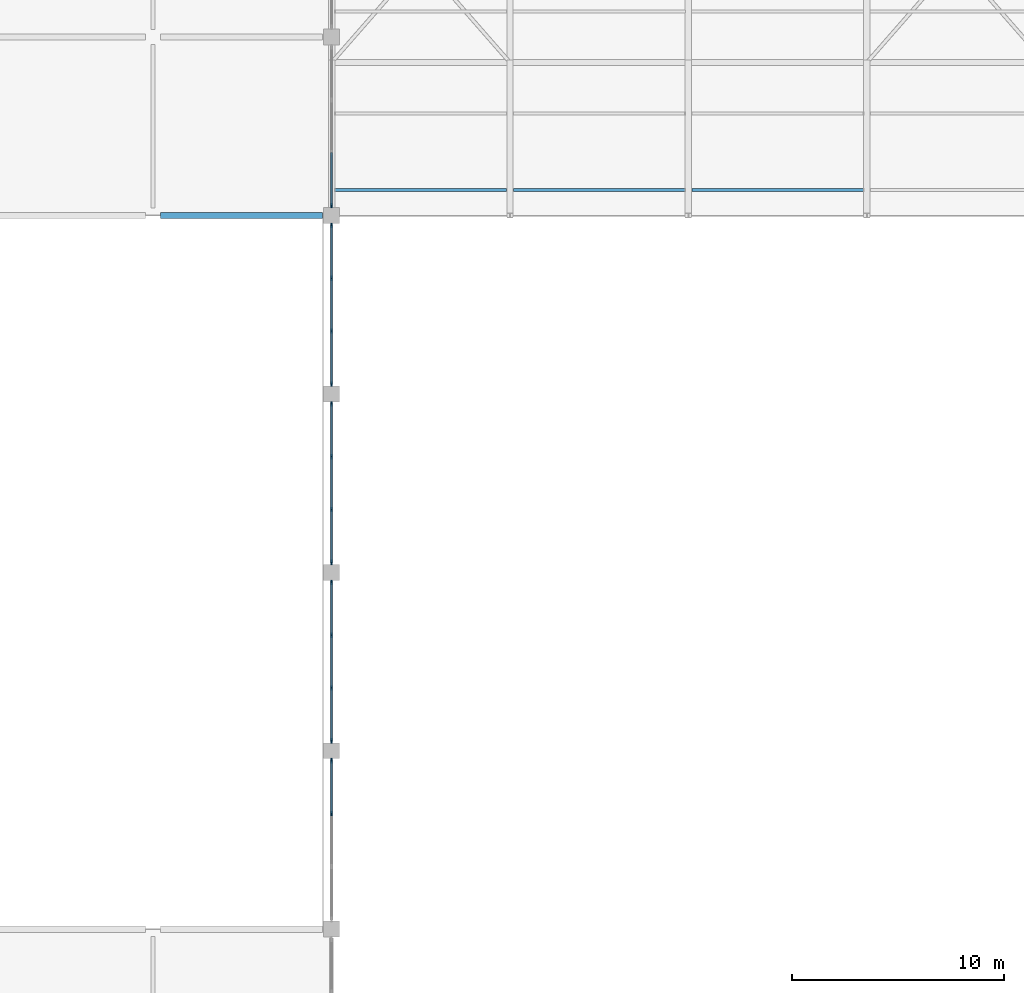
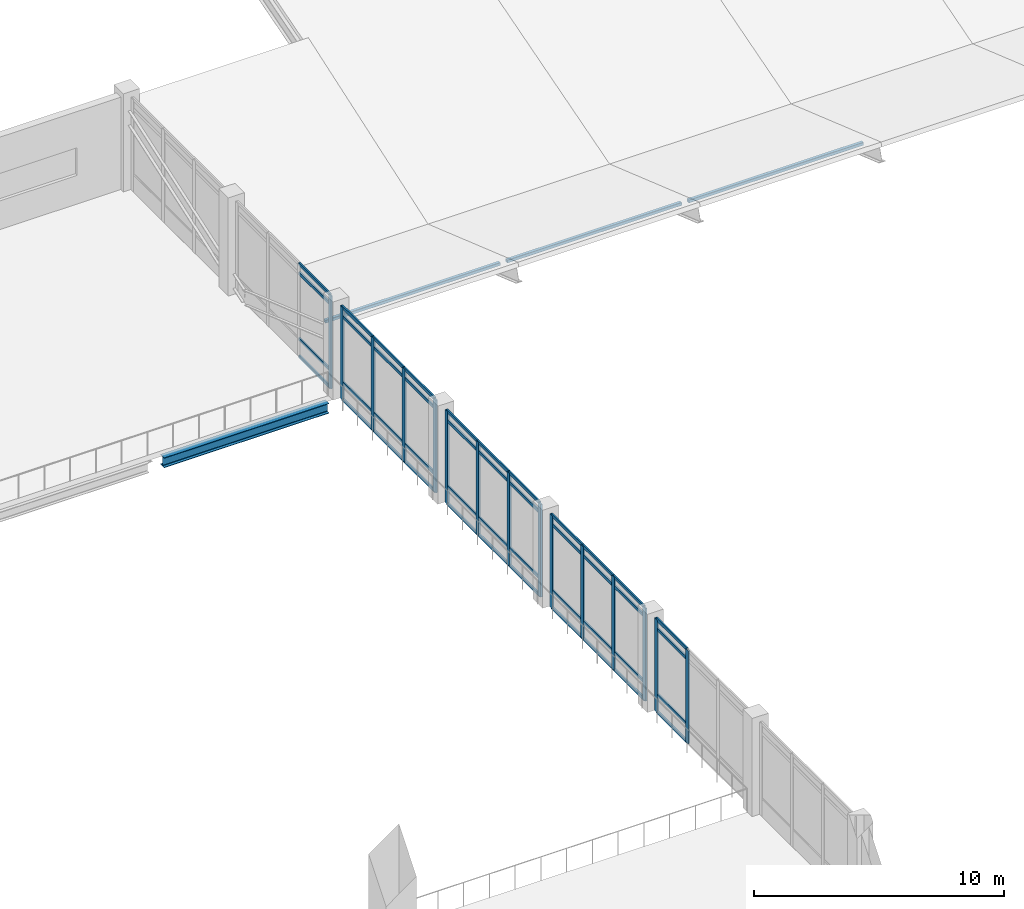
# One storey, part 14 of 110: 62 members, 1 beam, 5 elements without a shape of their own.
"""IFC4 building model written with IfcOpenShell, lengths in metres."""

from ifc_helpers import new_model, si_unit, direction, frame, origin, origin_2d, place, context, subcontext, project, spatial, rectangle, hollow_rectangle, i_section, extrude, material, layer, layer_set, material_profile, profile_set, type_object, element, aggregate, save


model = new_model("IFC4")

# Units and contexts
model_context = context("Model", 3, precision=1e-05, world=origin(), true_north=direction((0.0, 1.0)))
body_context = subcontext(model_context, "Body", "Model", "MODEL_VIEW")
ifc_project = project(units=[si_unit("LENGTHUNIT", "METRE"), si_unit("AREAUNIT", "SQUARE_METRE"), si_unit("VOLUMEUNIT", "CUBIC_METRE"), si_unit("PLANEANGLEUNIT", "RADIAN"), si_unit("MASSUNIT", "GRAM", prefix="KILO")], contexts=[model_context])

# Site, building, storey
site_placement = place(None, origin())
site = spatial("IfcSite", under=ifc_project, at=site_placement, CompositionType="ELEMENT")
building_placement = place(site_placement, origin())
building = spatial("IfcBuilding", under=site, at=building_placement, Name="Qawsi Khor Wholesale Market", CompositionType="ELEMENT")
storey_placement = place(building_placement, frame((0.0, 0.0, 11.39990234375)))
storey = spatial("IfcBuildingStorey", under=building, at=storey_placement, Name="L02", CompositionType="ELEMENT", Elevation=11.39990234375)

# Members
ifc_material_1 = material(Name="Steel S355", Category="steel")
ifc_material_profile_1 = material_profile(ifc_material_1, hollow_rectangle(XDim=0.14990234375, YDim=0.14990234375, WallThickness=0.008056640625, InnerFilletRadius=0.008056640625, OuterFilletRadius=0.01611328125, at=origin_2d()), Name="SHS 150x150x8.0")
ifc_profile_set_1 = profile_set([ifc_material_profile_1], Name="Steel S355")
member_type_1 = type_object("IfcMemberType", Name="Auction Shed Purlin SHS 150x150x8.0", PredefinedType="PURLIN", material=ifc_profile_set_1)
for number, where, z_axis, x_axis, name in (
    (1, (75.761962890625, 93.60009765625, 2.7333984375), (1.0, 0.0, 0.0), (0.0, 1.0, 0.0), "Auction Roof Purlin 10-1"),
    (2, (84.162109375, 93.60009765625, 2.7333984375), (1.0, 0.0, 0.0), (0.0, 1.0, 0.0), "Auction Roof Purlin 11-1"),
    (3, (92.56201171875, 93.60009765625, 2.7333984375), (1.0, 0.0, 0.0), (0.0, 1.0, 0.0), "Auction Roof Purlin 12-1"),
):
    element("IfcMember", number, at=place(storey_placement, frame(where, z_axis=z_axis, x_axis=x_axis)), inside=storey, type_object=member_type_1, Name=name, PredefinedType="PURLIN", context=body_context, shape_type="SweptSolid", body=[
        extrude(hollow_rectangle(XDim=0.14990234375, YDim=0.14990234375, WallThickness=0.008056640625, InnerFilletRadius=0.008056640625, OuterFilletRadius=0.01611328125, at=origin_2d()), origin(), (0.0, 0.0, 1.0), 8.075927734375),
    ])

# Curtain wall, members
ifc_material_2 = material(Name="Aluminium Anodised Bronze", Category="aluminium")
ifc_layer = layer(ifc_material_2, 0.199951171875, Name="Aluminium Anodised Bronze")
ifc_layer_set = layer_set([ifc_layer], Name="Aluminium Anodised Bronze")
curtain_wall_type = type_object("IfcCurtainWallType", Name="Trading Hall North-Light Curtain Wall CW-03", PredefinedType="NOTDEFINED", material=ifc_layer_set)
curtain_wall_1_placement = place(storey_placement, origin())
curtain_wall_1 = element("IfcCurtainWall", 4, at=curtain_wall_1_placement, inside=storey, type_object=curtain_wall_type, Name="Curtain wall CW-CW-03-L02-079", PredefinedType="NOTDEFINED")
ifc_material_profile_2 = material_profile(ifc_material_2, rectangle(XDim=0.074951171875, YDim=0.219970703125, at=origin_2d()), Name="ALU MULLION 75x220")
ifc_profile_set_2 = profile_set([ifc_material_profile_2], Name="Aluminium Anodised Bronze")
member_type_2 = type_object("IfcMemberType", Name="Curtain Wall Mullion CW-03 ALU MULLION 75x220", PredefinedType="MULLION", material=ifc_profile_set_2)
member_1_placement = place(storey_placement, frame((75.60009765625, 64.242431640625, -0.02001953125), z_axis=(0.0, 0.0, 1.0), x_axis=(1.0, 0.0, 0.0)))
member_1 = element("IfcMember", 5, at=member_1_placement, type_object=member_type_2, Name="Mullion CW-CW-03-L02-079-M02", PredefinedType="MULLION", context=body_context, shape_type="SweptSolid", body=[
    extrude(rectangle(XDim=0.074951171875, YDim=0.219970703125, at=origin_2d()), origin(), (0.0, 0.0, 1.0), 4.5400390625),
])
member_2_placement = place(storey_placement, frame((75.60009765625, 66.7275390625, -0.02001953125), z_axis=(0.0, 0.0, 1.0), x_axis=(1.0, 0.0, 0.0)))
member_2 = element("IfcMember", 6, at=member_2_placement, type_object=member_type_2, Name="Mullion CW-CW-03-L02-079-M03", PredefinedType="MULLION", context=body_context, shape_type="SweptSolid", body=[
    extrude(rectangle(XDim=0.074951171875, YDim=0.219970703125, at=origin_2d()), origin(), (0.0, 0.0, 1.0), 4.5400390625),
])

curtain_wall_2_placement = place(storey_placement, origin())
curtain_wall_2 = element("IfcCurtainWall", 7, at=curtain_wall_2_placement, inside=storey, type_object=curtain_wall_type, Name="Curtain wall CW-CW-03-L02-084", PredefinedType="NOTDEFINED")
member_3_placement = place(storey_placement, frame((75.60009765625, 67.672607421875, -0.02001953125), z_axis=(0.0, 0.0, 1.0), x_axis=(1.0, 0.0, 0.0)))
member_3 = element("IfcMember", 8, at=member_3_placement, type_object=member_type_2, Name="Mullion CW-CW-03-L02-084-M00", PredefinedType="MULLION", context=body_context, shape_type="SweptSolid", body=[
    extrude(rectangle(XDim=0.074951171875, YDim=0.219970703125, at=origin_2d()), origin(), (0.0, 0.0, 1.0), 4.5400390625),
])
member_4_placement = place(storey_placement, frame((75.60009765625, 70.157470703125, -0.02001953125), z_axis=(0.0, 0.0, 1.0), x_axis=(1.0, 0.0, 0.0)))
member_4 = element("IfcMember", 9, at=member_4_placement, type_object=member_type_2, Name="Mullion CW-CW-03-L02-084-M01", PredefinedType="MULLION", context=body_context, shape_type="SweptSolid", body=[
    extrude(rectangle(XDim=0.074951171875, YDim=0.219970703125, at=origin_2d()), origin(), (0.0, 0.0, 1.0), 4.5400390625),
])
member_5_placement = place(storey_placement, frame((75.60009765625, 72.642578125, -0.02001953125), z_axis=(0.0, 0.0, 1.0), x_axis=(1.0, 0.0, 0.0)))
member_5 = element("IfcMember", 10, at=member_5_placement, type_object=member_type_2, Name="Mullion CW-CW-03-L02-084-M02", PredefinedType="MULLION", context=body_context, shape_type="SweptSolid", body=[
    extrude(rectangle(XDim=0.074951171875, YDim=0.219970703125, at=origin_2d()), origin(), (0.0, 0.0, 1.0), 4.5400390625),
])
member_6_placement = place(storey_placement, frame((75.60009765625, 75.12744140625, -0.02001953125), z_axis=(0.0, 0.0, 1.0), x_axis=(1.0, 0.0, 0.0)))
member_6 = element("IfcMember", 11, at=member_6_placement, type_object=member_type_2, Name="Mullion CW-CW-03-L02-084-M03", PredefinedType="MULLION", context=body_context, shape_type="SweptSolid", body=[
    extrude(rectangle(XDim=0.074951171875, YDim=0.219970703125, at=origin_2d()), origin(), (0.0, 0.0, 1.0), 4.5400390625),
])

curtain_wall_3_placement = place(storey_placement, origin())
curtain_wall_3 = element("IfcCurtainWall", 12, at=curtain_wall_3_placement, inside=storey, type_object=curtain_wall_type, Name="Curtain wall CW-CW-03-L02-089", PredefinedType="NOTDEFINED")
member_7_placement = place(storey_placement, frame((75.60009765625, 76.072509765625, -0.02001953125), z_axis=(0.0, 0.0, 1.0), x_axis=(1.0, 0.0, 0.0)))
member_7 = element("IfcMember", 13, at=member_7_placement, type_object=member_type_2, Name="Mullion CW-CW-03-L02-089-M00", PredefinedType="MULLION", context=body_context, shape_type="SweptSolid", body=[
    extrude(rectangle(XDim=0.074951171875, YDim=0.219970703125, at=origin_2d()), origin(), (0.0, 0.0, 1.0), 4.5400390625),
])
member_8_placement = place(storey_placement, frame((75.60009765625, 78.5576171875, -0.02001953125), z_axis=(0.0, 0.0, 1.0), x_axis=(1.0, 0.0, 0.0)))
member_8 = element("IfcMember", 14, at=member_8_placement, type_object=member_type_2, Name="Mullion CW-CW-03-L02-089-M01", PredefinedType="MULLION", context=body_context, shape_type="SweptSolid", body=[
    extrude(rectangle(XDim=0.074951171875, YDim=0.219970703125, at=origin_2d()), origin(), (0.0, 0.0, 1.0), 4.5400390625),
])
member_9_placement = place(storey_placement, frame((75.60009765625, 81.04248046875, -0.02001953125), z_axis=(0.0, 0.0, 1.0), x_axis=(1.0, 0.0, 0.0)))
member_9 = element("IfcMember", 15, at=member_9_placement, type_object=member_type_2, Name="Mullion CW-CW-03-L02-089-M02", PredefinedType="MULLION", context=body_context, shape_type="SweptSolid", body=[
    extrude(rectangle(XDim=0.074951171875, YDim=0.219970703125, at=origin_2d()), origin(), (0.0, 0.0, 1.0), 4.5400390625),
])
member_10_placement = place(storey_placement, frame((75.60009765625, 83.527587890625, -0.02001953125), z_axis=(0.0, 0.0, 1.0), x_axis=(1.0, 0.0, 0.0)))
member_10 = element("IfcMember", 16, at=member_10_placement, type_object=member_type_2, Name="Mullion CW-CW-03-L02-089-M03", PredefinedType="MULLION", context=body_context, shape_type="SweptSolid", body=[
    extrude(rectangle(XDim=0.074951171875, YDim=0.219970703125, at=origin_2d()), origin(), (0.0, 0.0, 1.0), 4.5400390625),
])

curtain_wall_4_placement = place(storey_placement, origin())
curtain_wall_4 = element("IfcCurtainWall", 17, at=curtain_wall_4_placement, inside=storey, type_object=curtain_wall_type, Name="Curtain wall CW-CW-03-L02-094", PredefinedType="NOTDEFINED")
member_11_placement = place(storey_placement, frame((75.60009765625, 84.472412109375, -0.02001953125), z_axis=(0.0, 0.0, 1.0), x_axis=(1.0, 0.0, 0.0)))
member_11 = element("IfcMember", 18, at=member_11_placement, type_object=member_type_2, Name="Mullion CW-CW-03-L02-094-M00", PredefinedType="MULLION", context=body_context, shape_type="SweptSolid", body=[
    extrude(rectangle(XDim=0.074951171875, YDim=0.219970703125, at=origin_2d()), origin(), (0.0, 0.0, 1.0), 4.5400390625),
])
member_12_placement = place(storey_placement, frame((75.60009765625, 86.95751953125, -0.02001953125), z_axis=(0.0, 0.0, 1.0), x_axis=(1.0, 0.0, 0.0)))
member_12 = element("IfcMember", 19, at=member_12_placement, type_object=member_type_2, Name="Mullion CW-CW-03-L02-094-M01", PredefinedType="MULLION", context=body_context, shape_type="SweptSolid", body=[
    extrude(rectangle(XDim=0.074951171875, YDim=0.219970703125, at=origin_2d()), origin(), (0.0, 0.0, 1.0), 4.5400390625),
])
member_13_placement = place(storey_placement, frame((75.60009765625, 89.4423828125, -0.02001953125), z_axis=(0.0, 0.0, 1.0), x_axis=(1.0, 0.0, 0.0)))
member_13 = element("IfcMember", 20, at=member_13_placement, type_object=member_type_2, Name="Mullion CW-CW-03-L02-094-M02", PredefinedType="MULLION", context=body_context, shape_type="SweptSolid", body=[
    extrude(rectangle(XDim=0.074951171875, YDim=0.219970703125, at=origin_2d()), origin(), (0.0, 0.0, 1.0), 4.5400390625),
])
member_14_placement = place(storey_placement, frame((75.60009765625, 91.927490234375, -0.02001953125), z_axis=(0.0, 0.0, 1.0), x_axis=(1.0, 0.0, 0.0)))
member_14 = element("IfcMember", 21, at=member_14_placement, type_object=member_type_2, Name="Mullion CW-CW-03-L02-094-M03", PredefinedType="MULLION", context=body_context, shape_type="SweptSolid", body=[
    extrude(rectangle(XDim=0.074951171875, YDim=0.219970703125, at=origin_2d()), origin(), (0.0, 0.0, 1.0), 4.5400390625),
])

# Curtain wall, member
curtain_wall_5_placement = place(storey_placement, origin())
curtain_wall_5 = element("IfcCurtainWall", 22, at=curtain_wall_5_placement, inside=storey, type_object=curtain_wall_type, Name="Curtain wall CW-CW-03-L02-157", PredefinedType="NOTDEFINED")
member_15_placement = place(storey_placement, frame((75.60009765625, 92.87255859375, -0.02001953125), z_axis=(0.0, 0.0, 1.0), x_axis=(1.0, 0.0, 0.0)))
member_15 = element("IfcMember", 23, at=member_15_placement, type_object=member_type_2, Name="Mullion CW-CW-03-L02-157-M00", PredefinedType="MULLION", context=body_context, shape_type="SweptSolid", body=[
    extrude(rectangle(XDim=0.074951171875, YDim=0.219970703125, at=origin_2d()), origin(), (0.0, 0.0, 1.0), 4.5400390625),
])

# Member
ifc_material_profile_3 = material_profile(ifc_material_2, rectangle(XDim=0.070068359375, YDim=0.14990234375, at=origin_2d()), Name="ALU TRANSOM 70x150")
ifc_profile_set_3 = profile_set([ifc_material_profile_3], Name="Aluminium Anodised Bronze")
member_type_3 = type_object("IfcMemberType", Name="Curtain Wall Transom CW-03 ALU TRANSOM 70x150", PredefinedType="USERDEFINED", material=ifc_profile_set_3)
member_16_placement = place(storey_placement, frame((75.60009765625, 64.242431640625, 0.0), z_axis=(0.0, 1.0, 0.0), x_axis=(-1.0, 0.0, 0.0)))
member_16 = element("IfcMember", 24, at=member_16_placement, type_object=member_type_3, Name="Transom CW-CW-03-L02-079-T0_02", ObjectType="TRANSOM", PredefinedType="USERDEFINED", context=body_context, shape_type="SweptSolid", body=[
    extrude(rectangle(XDim=0.070068359375, YDim=0.14990234375, at=origin_2d()), origin(), (0.0, 0.0, 1.0), 2.485107421875),
])

member_17_placement = place(storey_placement, frame((75.60009765625, 64.242431640625, 0.85009765625), z_axis=(0.0, 1.0, 0.0), x_axis=(-1.0, 0.0, 0.0)))
member_17 = element("IfcMember", 25, at=member_17_placement, type_object=member_type_3, Name="Transom CW-CW-03-L02-079-T1_02", ObjectType="TRANSOM", PredefinedType="USERDEFINED", context=body_context, shape_type="SweptSolid", body=[
    extrude(rectangle(XDim=0.070068359375, YDim=0.14990234375, at=origin_2d()), origin(), (0.0, 0.0, 1.0), 2.485107421875),
])

member_18_placement = place(storey_placement, frame((75.60009765625, 64.242431640625, 4.070068359375), z_axis=(0.0, 1.0, 0.0), x_axis=(-1.0, 0.0, 0.0)))
member_18 = element("IfcMember", 26, at=member_18_placement, type_object=member_type_3, Name="Transom CW-CW-03-L02-079-T2_02", ObjectType="TRANSOM", PredefinedType="USERDEFINED", context=body_context, shape_type="SweptSolid", body=[
    extrude(rectangle(XDim=0.070068359375, YDim=0.14990234375, at=origin_2d()), origin(), (0.0, 0.0, 1.0), 2.485107421875),
])

member_19_placement = place(storey_placement, frame((75.60009765625, 64.242431640625, 4.52001953125), z_axis=(0.0, 1.0, 0.0), x_axis=(-1.0, 0.0, 0.0)))
member_19 = element("IfcMember", 27, at=member_19_placement, type_object=member_type_3, Name="Transom CW-CW-03-L02-079-T3_02", ObjectType="TRANSOM", PredefinedType="USERDEFINED", context=body_context, shape_type="SweptSolid", body=[
    extrude(rectangle(XDim=0.070068359375, YDim=0.14990234375, at=origin_2d()), origin(), (0.0, 0.0, 1.0), 2.485107421875),
])

aggregate(curtain_wall_1, [member_1, member_2, member_16, member_17, member_18, member_19])

member_20_placement = place(storey_placement, frame((75.60009765625, 67.672607421875, 0.0), z_axis=(0.0, 1.0, 0.0), x_axis=(-1.0, 0.0, 0.0)))
member_20 = element("IfcMember", 28, at=member_20_placement, type_object=member_type_3, Name="Transom CW-CW-03-L02-084-T0_00", ObjectType="TRANSOM", PredefinedType="USERDEFINED", context=body_context, shape_type="SweptSolid", body=[
    extrude(rectangle(XDim=0.070068359375, YDim=0.14990234375, at=origin_2d()), origin(), (0.0, 0.0, 1.0), 2.48486328125),
])

member_21_placement = place(storey_placement, frame((75.60009765625, 70.157470703125, 0.0), z_axis=(0.0, 1.0, 0.0), x_axis=(-1.0, 0.0, 0.0)))
member_21 = element("IfcMember", 29, at=member_21_placement, type_object=member_type_3, Name="Transom CW-CW-03-L02-084-T0_01", ObjectType="TRANSOM", PredefinedType="USERDEFINED", context=body_context, shape_type="SweptSolid", body=[
    extrude(rectangle(XDim=0.070068359375, YDim=0.14990234375, at=origin_2d()), origin(), (0.0, 0.0, 1.0), 2.485107421875),
])

member_22_placement = place(storey_placement, frame((75.60009765625, 72.642578125, 0.0), z_axis=(0.0, 1.0, 0.0), x_axis=(-1.0, 0.0, 0.0)))
member_22 = element("IfcMember", 30, at=member_22_placement, type_object=member_type_3, Name="Transom CW-CW-03-L02-084-T0_02", ObjectType="TRANSOM", PredefinedType="USERDEFINED", context=body_context, shape_type="SweptSolid", body=[
    extrude(rectangle(XDim=0.070068359375, YDim=0.14990234375, at=origin_2d()), origin(), (0.0, 0.0, 1.0), 2.48486328125),
])

member_23_placement = place(storey_placement, frame((75.60009765625, 67.672607421875, 0.85009765625), z_axis=(0.0, 1.0, 0.0), x_axis=(-1.0, 0.0, 0.0)))
member_23 = element("IfcMember", 31, at=member_23_placement, type_object=member_type_3, Name="Transom CW-CW-03-L02-084-T1_00", ObjectType="TRANSOM", PredefinedType="USERDEFINED", context=body_context, shape_type="SweptSolid", body=[
    extrude(rectangle(XDim=0.070068359375, YDim=0.14990234375, at=origin_2d()), origin(), (0.0, 0.0, 1.0), 2.48486328125),
])

member_24_placement = place(storey_placement, frame((75.60009765625, 70.157470703125, 0.85009765625), z_axis=(0.0, 1.0, 0.0), x_axis=(-1.0, 0.0, 0.0)))
member_24 = element("IfcMember", 32, at=member_24_placement, type_object=member_type_3, Name="Transom CW-CW-03-L02-084-T1_01", ObjectType="TRANSOM", PredefinedType="USERDEFINED", context=body_context, shape_type="SweptSolid", body=[
    extrude(rectangle(XDim=0.070068359375, YDim=0.14990234375, at=origin_2d()), origin(), (0.0, 0.0, 1.0), 2.485107421875),
])

member_25_placement = place(storey_placement, frame((75.60009765625, 72.642578125, 0.85009765625), z_axis=(0.0, 1.0, 0.0), x_axis=(-1.0, 0.0, 0.0)))
member_25 = element("IfcMember", 33, at=member_25_placement, type_object=member_type_3, Name="Transom CW-CW-03-L02-084-T1_02", ObjectType="TRANSOM", PredefinedType="USERDEFINED", context=body_context, shape_type="SweptSolid", body=[
    extrude(rectangle(XDim=0.070068359375, YDim=0.14990234375, at=origin_2d()), origin(), (0.0, 0.0, 1.0), 2.48486328125),
])

member_26_placement = place(storey_placement, frame((75.60009765625, 67.672607421875, 4.070068359375), z_axis=(0.0, 1.0, 0.0), x_axis=(-1.0, 0.0, 0.0)))
member_26 = element("IfcMember", 34, at=member_26_placement, type_object=member_type_3, Name="Transom CW-CW-03-L02-084-T2_00", ObjectType="TRANSOM", PredefinedType="USERDEFINED", context=body_context, shape_type="SweptSolid", body=[
    extrude(rectangle(XDim=0.070068359375, YDim=0.14990234375, at=origin_2d()), origin(), (0.0, 0.0, 1.0), 2.48486328125),
])

member_27_placement = place(storey_placement, frame((75.60009765625, 70.157470703125, 4.070068359375), z_axis=(0.0, 1.0, 0.0), x_axis=(-1.0, 0.0, 0.0)))
member_27 = element("IfcMember", 35, at=member_27_placement, type_object=member_type_3, Name="Transom CW-CW-03-L02-084-T2_01", ObjectType="TRANSOM", PredefinedType="USERDEFINED", context=body_context, shape_type="SweptSolid", body=[
    extrude(rectangle(XDim=0.070068359375, YDim=0.14990234375, at=origin_2d()), origin(), (0.0, 0.0, 1.0), 2.485107421875),
])

member_28_placement = place(storey_placement, frame((75.60009765625, 72.642578125, 4.070068359375), z_axis=(0.0, 1.0, 0.0), x_axis=(-1.0, 0.0, 0.0)))
member_28 = element("IfcMember", 36, at=member_28_placement, type_object=member_type_3, Name="Transom CW-CW-03-L02-084-T2_02", ObjectType="TRANSOM", PredefinedType="USERDEFINED", context=body_context, shape_type="SweptSolid", body=[
    extrude(rectangle(XDim=0.070068359375, YDim=0.14990234375, at=origin_2d()), origin(), (0.0, 0.0, 1.0), 2.48486328125),
])

member_29_placement = place(storey_placement, frame((75.60009765625, 67.672607421875, 4.52001953125), z_axis=(0.0, 1.0, 0.0), x_axis=(-1.0, 0.0, 0.0)))
member_29 = element("IfcMember", 37, at=member_29_placement, type_object=member_type_3, Name="Transom CW-CW-03-L02-084-T3_00", ObjectType="TRANSOM", PredefinedType="USERDEFINED", context=body_context, shape_type="SweptSolid", body=[
    extrude(rectangle(XDim=0.070068359375, YDim=0.14990234375, at=origin_2d()), origin(), (0.0, 0.0, 1.0), 2.48486328125),
])

member_30_placement = place(storey_placement, frame((75.60009765625, 70.157470703125, 4.52001953125), z_axis=(0.0, 1.0, 0.0), x_axis=(-1.0, 0.0, 0.0)))
member_30 = element("IfcMember", 38, at=member_30_placement, type_object=member_type_3, Name="Transom CW-CW-03-L02-084-T3_01", ObjectType="TRANSOM", PredefinedType="USERDEFINED", context=body_context, shape_type="SweptSolid", body=[
    extrude(rectangle(XDim=0.070068359375, YDim=0.14990234375, at=origin_2d()), origin(), (0.0, 0.0, 1.0), 2.485107421875),
])

member_31_placement = place(storey_placement, frame((75.60009765625, 72.642578125, 4.52001953125), z_axis=(0.0, 1.0, 0.0), x_axis=(-1.0, 0.0, 0.0)))
member_31 = element("IfcMember", 39, at=member_31_placement, type_object=member_type_3, Name="Transom CW-CW-03-L02-084-T3_02", ObjectType="TRANSOM", PredefinedType="USERDEFINED", context=body_context, shape_type="SweptSolid", body=[
    extrude(rectangle(XDim=0.070068359375, YDim=0.14990234375, at=origin_2d()), origin(), (0.0, 0.0, 1.0), 2.48486328125),
])

aggregate(curtain_wall_2, [member_3, member_4, member_5, member_6, member_20, member_21, member_22, member_23, member_24, member_25, member_26, member_27, member_28, member_29, member_30, member_31])

member_32_placement = place(storey_placement, frame((75.60009765625, 76.072509765625, 0.0), z_axis=(0.0, 1.0, 0.0), x_axis=(-1.0, 0.0, 0.0)))
member_32 = element("IfcMember", 40, at=member_32_placement, type_object=member_type_3, Name="Transom CW-CW-03-L02-089-T0_00", ObjectType="TRANSOM", PredefinedType="USERDEFINED", context=body_context, shape_type="SweptSolid", body=[
    extrude(rectangle(XDim=0.070068359375, YDim=0.14990234375, at=origin_2d()), origin(), (0.0, 0.0, 1.0), 2.485107421875),
])

member_33_placement = place(storey_placement, frame((75.60009765625, 78.5576171875, 0.0), z_axis=(0.0, 1.0, 0.0), x_axis=(-1.0, 0.0, 0.0)))
member_33 = element("IfcMember", 41, at=member_33_placement, type_object=member_type_3, Name="Transom CW-CW-03-L02-089-T0_01", ObjectType="TRANSOM", PredefinedType="USERDEFINED", context=body_context, shape_type="SweptSolid", body=[
    extrude(rectangle(XDim=0.070068359375, YDim=0.14990234375, at=origin_2d()), origin(), (0.0, 0.0, 1.0), 2.48486328125),
])

member_34_placement = place(storey_placement, frame((75.60009765625, 81.04248046875, 0.0), z_axis=(0.0, 1.0, 0.0), x_axis=(-1.0, 0.0, 0.0)))
member_34 = element("IfcMember", 42, at=member_34_placement, type_object=member_type_3, Name="Transom CW-CW-03-L02-089-T0_02", ObjectType="TRANSOM", PredefinedType="USERDEFINED", context=body_context, shape_type="SweptSolid", body=[
    extrude(rectangle(XDim=0.070068359375, YDim=0.14990234375, at=origin_2d()), origin(), (0.0, 0.0, 1.0), 2.485107421875),
])

member_35_placement = place(storey_placement, frame((75.60009765625, 76.072509765625, 0.85009765625), z_axis=(0.0, 1.0, 0.0), x_axis=(-1.0, 0.0, 0.0)))
member_35 = element("IfcMember", 43, at=member_35_placement, type_object=member_type_3, Name="Transom CW-CW-03-L02-089-T1_00", ObjectType="TRANSOM", PredefinedType="USERDEFINED", context=body_context, shape_type="SweptSolid", body=[
    extrude(rectangle(XDim=0.070068359375, YDim=0.14990234375, at=origin_2d()), origin(), (0.0, 0.0, 1.0), 2.485107421875),
])

member_36_placement = place(storey_placement, frame((75.60009765625, 78.5576171875, 0.85009765625), z_axis=(0.0, 1.0, 0.0), x_axis=(-1.0, 0.0, 0.0)))
member_36 = element("IfcMember", 44, at=member_36_placement, type_object=member_type_3, Name="Transom CW-CW-03-L02-089-T1_01", ObjectType="TRANSOM", PredefinedType="USERDEFINED", context=body_context, shape_type="SweptSolid", body=[
    extrude(rectangle(XDim=0.070068359375, YDim=0.14990234375, at=origin_2d()), origin(), (0.0, 0.0, 1.0), 2.48486328125),
])

member_37_placement = place(storey_placement, frame((75.60009765625, 81.04248046875, 0.85009765625), z_axis=(0.0, 1.0, 0.0), x_axis=(-1.0, 0.0, 0.0)))
member_37 = element("IfcMember", 45, at=member_37_placement, type_object=member_type_3, Name="Transom CW-CW-03-L02-089-T1_02", ObjectType="TRANSOM", PredefinedType="USERDEFINED", context=body_context, shape_type="SweptSolid", body=[
    extrude(rectangle(XDim=0.070068359375, YDim=0.14990234375, at=origin_2d()), origin(), (0.0, 0.0, 1.0), 2.485107421875),
])

member_38_placement = place(storey_placement, frame((75.60009765625, 76.072509765625, 4.070068359375), z_axis=(0.0, 1.0, 0.0), x_axis=(-1.0, 0.0, 0.0)))
member_38 = element("IfcMember", 46, at=member_38_placement, type_object=member_type_3, Name="Transom CW-CW-03-L02-089-T2_00", ObjectType="TRANSOM", PredefinedType="USERDEFINED", context=body_context, shape_type="SweptSolid", body=[
    extrude(rectangle(XDim=0.070068359375, YDim=0.14990234375, at=origin_2d()), origin(), (0.0, 0.0, 1.0), 2.485107421875),
])

member_39_placement = place(storey_placement, frame((75.60009765625, 78.5576171875, 4.070068359375), z_axis=(0.0, 1.0, 0.0), x_axis=(-1.0, 0.0, 0.0)))
member_39 = element("IfcMember", 47, at=member_39_placement, type_object=member_type_3, Name="Transom CW-CW-03-L02-089-T2_01", ObjectType="TRANSOM", PredefinedType="USERDEFINED", context=body_context, shape_type="SweptSolid", body=[
    extrude(rectangle(XDim=0.070068359375, YDim=0.14990234375, at=origin_2d()), origin(), (0.0, 0.0, 1.0), 2.48486328125),
])

member_40_placement = place(storey_placement, frame((75.60009765625, 81.04248046875, 4.070068359375), z_axis=(0.0, 1.0, 0.0), x_axis=(-1.0, 0.0, 0.0)))
member_40 = element("IfcMember", 48, at=member_40_placement, type_object=member_type_3, Name="Transom CW-CW-03-L02-089-T2_02", ObjectType="TRANSOM", PredefinedType="USERDEFINED", context=body_context, shape_type="SweptSolid", body=[
    extrude(rectangle(XDim=0.070068359375, YDim=0.14990234375, at=origin_2d()), origin(), (0.0, 0.0, 1.0), 2.485107421875),
])

member_41_placement = place(storey_placement, frame((75.60009765625, 76.072509765625, 4.52001953125), z_axis=(0.0, 1.0, 0.0), x_axis=(-1.0, 0.0, 0.0)))
member_41 = element("IfcMember", 49, at=member_41_placement, type_object=member_type_3, Name="Transom CW-CW-03-L02-089-T3_00", ObjectType="TRANSOM", PredefinedType="USERDEFINED", context=body_context, shape_type="SweptSolid", body=[
    extrude(rectangle(XDim=0.070068359375, YDim=0.14990234375, at=origin_2d()), origin(), (0.0, 0.0, 1.0), 2.485107421875),
])

member_42_placement = place(storey_placement, frame((75.60009765625, 78.5576171875, 4.52001953125), z_axis=(0.0, 1.0, 0.0), x_axis=(-1.0, 0.0, 0.0)))
member_42 = element("IfcMember", 50, at=member_42_placement, type_object=member_type_3, Name="Transom CW-CW-03-L02-089-T3_01", ObjectType="TRANSOM", PredefinedType="USERDEFINED", context=body_context, shape_type="SweptSolid", body=[
    extrude(rectangle(XDim=0.070068359375, YDim=0.14990234375, at=origin_2d()), origin(), (0.0, 0.0, 1.0), 2.48486328125),
])

member_43_placement = place(storey_placement, frame((75.60009765625, 81.04248046875, 4.52001953125), z_axis=(0.0, 1.0, 0.0), x_axis=(-1.0, 0.0, 0.0)))
member_43 = element("IfcMember", 51, at=member_43_placement, type_object=member_type_3, Name="Transom CW-CW-03-L02-089-T3_02", ObjectType="TRANSOM", PredefinedType="USERDEFINED", context=body_context, shape_type="SweptSolid", body=[
    extrude(rectangle(XDim=0.070068359375, YDim=0.14990234375, at=origin_2d()), origin(), (0.0, 0.0, 1.0), 2.485107421875),
])

aggregate(curtain_wall_3, [member_7, member_8, member_9, member_10, member_32, member_33, member_34, member_35, member_36, member_37, member_38, member_39, member_40, member_41, member_42, member_43])

member_44_placement = place(storey_placement, frame((75.60009765625, 84.472412109375, 0.0), z_axis=(0.0, 1.0, 0.0), x_axis=(-1.0, 0.0, 0.0)))
member_44 = element("IfcMember", 52, at=member_44_placement, type_object=member_type_3, Name="Transom CW-CW-03-L02-094-T0_00", ObjectType="TRANSOM", PredefinedType="USERDEFINED", context=body_context, shape_type="SweptSolid", body=[
    extrude(rectangle(XDim=0.070068359375, YDim=0.14990234375, at=origin_2d()), origin(), (0.0, 0.0, 1.0), 2.485107421875),
])

member_45_placement = place(storey_placement, frame((75.60009765625, 86.95751953125, 0.0), z_axis=(0.0, 1.0, 0.0), x_axis=(-1.0, 0.0, 0.0)))
member_45 = element("IfcMember", 53, at=member_45_placement, type_object=member_type_3, Name="Transom CW-CW-03-L02-094-T0_01", ObjectType="TRANSOM", PredefinedType="USERDEFINED", context=body_context, shape_type="SweptSolid", body=[
    extrude(rectangle(XDim=0.070068359375, YDim=0.14990234375, at=origin_2d()), origin(), (0.0, 0.0, 1.0), 2.48486328125),
])

member_46_placement = place(storey_placement, frame((75.60009765625, 89.4423828125, 0.0), z_axis=(0.0, 1.0, 0.0), x_axis=(-1.0, 0.0, 0.0)))
member_46 = element("IfcMember", 54, at=member_46_placement, type_object=member_type_3, Name="Transom CW-CW-03-L02-094-T0_02", ObjectType="TRANSOM", PredefinedType="USERDEFINED", context=body_context, shape_type="SweptSolid", body=[
    extrude(rectangle(XDim=0.070068359375, YDim=0.14990234375, at=origin_2d()), origin(), (0.0, 0.0, 1.0), 2.485107421875),
])

member_47_placement = place(storey_placement, frame((75.60009765625, 84.472412109375, 0.85009765625), z_axis=(0.0, 1.0, 0.0), x_axis=(-1.0, 0.0, 0.0)))
member_47 = element("IfcMember", 55, at=member_47_placement, type_object=member_type_3, Name="Transom CW-CW-03-L02-094-T1_00", ObjectType="TRANSOM", PredefinedType="USERDEFINED", context=body_context, shape_type="SweptSolid", body=[
    extrude(rectangle(XDim=0.070068359375, YDim=0.14990234375, at=origin_2d()), origin(), (0.0, 0.0, 1.0), 2.485107421875),
])

member_48_placement = place(storey_placement, frame((75.60009765625, 86.95751953125, 0.85009765625), z_axis=(0.0, 1.0, 0.0), x_axis=(-1.0, 0.0, 0.0)))
member_48 = element("IfcMember", 56, at=member_48_placement, type_object=member_type_3, Name="Transom CW-CW-03-L02-094-T1_01", ObjectType="TRANSOM", PredefinedType="USERDEFINED", context=body_context, shape_type="SweptSolid", body=[
    extrude(rectangle(XDim=0.070068359375, YDim=0.14990234375, at=origin_2d()), origin(), (0.0, 0.0, 1.0), 2.48486328125),
])

member_49_placement = place(storey_placement, frame((75.60009765625, 89.4423828125, 0.85009765625), z_axis=(0.0, 1.0, 0.0), x_axis=(-1.0, 0.0, 0.0)))
member_49 = element("IfcMember", 57, at=member_49_placement, type_object=member_type_3, Name="Transom CW-CW-03-L02-094-T1_02", ObjectType="TRANSOM", PredefinedType="USERDEFINED", context=body_context, shape_type="SweptSolid", body=[
    extrude(rectangle(XDim=0.070068359375, YDim=0.14990234375, at=origin_2d()), origin(), (0.0, 0.0, 1.0), 2.485107421875),
])

member_50_placement = place(storey_placement, frame((75.60009765625, 84.472412109375, 4.070068359375), z_axis=(0.0, 1.0, 0.0), x_axis=(-1.0, 0.0, 0.0)))
member_50 = element("IfcMember", 58, at=member_50_placement, type_object=member_type_3, Name="Transom CW-CW-03-L02-094-T2_00", ObjectType="TRANSOM", PredefinedType="USERDEFINED", context=body_context, shape_type="SweptSolid", body=[
    extrude(rectangle(XDim=0.070068359375, YDim=0.14990234375, at=origin_2d()), origin(), (0.0, 0.0, 1.0), 2.485107421875),
])

member_51_placement = place(storey_placement, frame((75.60009765625, 86.95751953125, 4.070068359375), z_axis=(0.0, 1.0, 0.0), x_axis=(-1.0, 0.0, 0.0)))
member_51 = element("IfcMember", 59, at=member_51_placement, type_object=member_type_3, Name="Transom CW-CW-03-L02-094-T2_01", ObjectType="TRANSOM", PredefinedType="USERDEFINED", context=body_context, shape_type="SweptSolid", body=[
    extrude(rectangle(XDim=0.070068359375, YDim=0.14990234375, at=origin_2d()), origin(), (0.0, 0.0, 1.0), 2.48486328125),
])

member_52_placement = place(storey_placement, frame((75.60009765625, 89.4423828125, 4.070068359375), z_axis=(0.0, 1.0, 0.0), x_axis=(-1.0, 0.0, 0.0)))
member_52 = element("IfcMember", 60, at=member_52_placement, type_object=member_type_3, Name="Transom CW-CW-03-L02-094-T2_02", ObjectType="TRANSOM", PredefinedType="USERDEFINED", context=body_context, shape_type="SweptSolid", body=[
    extrude(rectangle(XDim=0.070068359375, YDim=0.14990234375, at=origin_2d()), origin(), (0.0, 0.0, 1.0), 2.485107421875),
])

member_53_placement = place(storey_placement, frame((75.60009765625, 84.472412109375, 4.52001953125), z_axis=(0.0, 1.0, 0.0), x_axis=(-1.0, 0.0, 0.0)))
member_53 = element("IfcMember", 61, at=member_53_placement, type_object=member_type_3, Name="Transom CW-CW-03-L02-094-T3_00", ObjectType="TRANSOM", PredefinedType="USERDEFINED", context=body_context, shape_type="SweptSolid", body=[
    extrude(rectangle(XDim=0.070068359375, YDim=0.14990234375, at=origin_2d()), origin(), (0.0, 0.0, 1.0), 2.485107421875),
])

member_54_placement = place(storey_placement, frame((75.60009765625, 86.95751953125, 4.52001953125), z_axis=(0.0, 1.0, 0.0), x_axis=(-1.0, 0.0, 0.0)))
member_54 = element("IfcMember", 62, at=member_54_placement, type_object=member_type_3, Name="Transom CW-CW-03-L02-094-T3_01", ObjectType="TRANSOM", PredefinedType="USERDEFINED", context=body_context, shape_type="SweptSolid", body=[
    extrude(rectangle(XDim=0.070068359375, YDim=0.14990234375, at=origin_2d()), origin(), (0.0, 0.0, 1.0), 2.48486328125),
])

member_55_placement = place(storey_placement, frame((75.60009765625, 89.4423828125, 4.52001953125), z_axis=(0.0, 1.0, 0.0), x_axis=(-1.0, 0.0, 0.0)))
member_55 = element("IfcMember", 63, at=member_55_placement, type_object=member_type_3, Name="Transom CW-CW-03-L02-094-T3_02", ObjectType="TRANSOM", PredefinedType="USERDEFINED", context=body_context, shape_type="SweptSolid", body=[
    extrude(rectangle(XDim=0.070068359375, YDim=0.14990234375, at=origin_2d()), origin(), (0.0, 0.0, 1.0), 2.485107421875),
])

aggregate(curtain_wall_4, [member_11, member_12, member_13, member_14, member_44, member_45, member_46, member_47, member_48, member_49, member_50, member_51, member_52, member_53, member_54, member_55])

member_56_placement = place(storey_placement, frame((75.60009765625, 92.87255859375, 0.0), z_axis=(0.0, 1.0, 0.0), x_axis=(-1.0, 0.0, 0.0)))
member_56 = element("IfcMember", 64, at=member_56_placement, type_object=member_type_3, Name="Transom CW-CW-03-L02-157-T0_00", ObjectType="TRANSOM", PredefinedType="USERDEFINED", context=body_context, shape_type="SweptSolid", body=[
    extrude(rectangle(XDim=0.070068359375, YDim=0.14990234375, at=origin_2d()), origin(), (0.0, 0.0, 1.0), 2.48486328125),
])

member_57_placement = place(storey_placement, frame((75.60009765625, 92.87255859375, 0.85009765625), z_axis=(0.0, 1.0, 0.0), x_axis=(-1.0, 0.0, 0.0)))
member_57 = element("IfcMember", 65, at=member_57_placement, type_object=member_type_3, Name="Transom CW-CW-03-L02-157-T1_00", ObjectType="TRANSOM", PredefinedType="USERDEFINED", context=body_context, shape_type="SweptSolid", body=[
    extrude(rectangle(XDim=0.070068359375, YDim=0.14990234375, at=origin_2d()), origin(), (0.0, 0.0, 1.0), 2.48486328125),
])

member_58_placement = place(storey_placement, frame((75.60009765625, 92.87255859375, 4.070068359375), z_axis=(0.0, 1.0, 0.0), x_axis=(-1.0, 0.0, 0.0)))
member_58 = element("IfcMember", 66, at=member_58_placement, type_object=member_type_3, Name="Transom CW-CW-03-L02-157-T2_00", ObjectType="TRANSOM", PredefinedType="USERDEFINED", context=body_context, shape_type="SweptSolid", body=[
    extrude(rectangle(XDim=0.070068359375, YDim=0.14990234375, at=origin_2d()), origin(), (0.0, 0.0, 1.0), 2.48486328125),
])

member_59_placement = place(storey_placement, frame((75.60009765625, 92.87255859375, 4.52001953125), z_axis=(0.0, 1.0, 0.0), x_axis=(-1.0, 0.0, 0.0)))
member_59 = element("IfcMember", 67, at=member_59_placement, type_object=member_type_3, Name="Transom CW-CW-03-L02-157-T3_00", ObjectType="TRANSOM", PredefinedType="USERDEFINED", context=body_context, shape_type="SweptSolid", body=[
    extrude(rectangle(XDim=0.070068359375, YDim=0.14990234375, at=origin_2d()), origin(), (0.0, 0.0, 1.0), 2.48486328125),
])

aggregate(curtain_wall_5, [member_15, member_56, member_57, member_58, member_59])

# Beam
ifc_material_profile_4 = material_profile(ifc_material_1, i_section(OverallWidth=0.300048828125, OverallDepth=0.489990234375, WebThickness=0.011962890625, FlangeThickness=0.02294921875, FilletRadius=0.027099609375, at=origin_2d()), Name="HEA 500")
ifc_profile_set_4 = profile_set([ifc_material_profile_4], Name="Steel S355")
beam_type = type_object("IfcBeamType", Name="Primary Girder HEA 500", PredefinedType="BEAM", material=ifc_profile_set_4)
beam_placement = place(storey_placement, frame((67.550048828125, 92.39990234375, -0.514892578125), z_axis=(1.0, 0.0, 0.0), x_axis=(0.0, 1.0, 0.0)))
element("IfcBeam", 68, at=beam_placement, inside=storey, type_object=beam_type, Name="BM-X-L02-08_+11", PredefinedType="BEAM", context=body_context, shape_type="SweptSolid", body=[
    extrude(i_section(OverallWidth=0.300048828125, OverallDepth=0.489990234375, WebThickness=0.011962890625, FlangeThickness=0.02294921875, FilletRadius=0.027099609375, at=origin_2d()), origin(), (0.0, 0.0, 1.0), 7.625),
])

save(model, "model.ifc")
